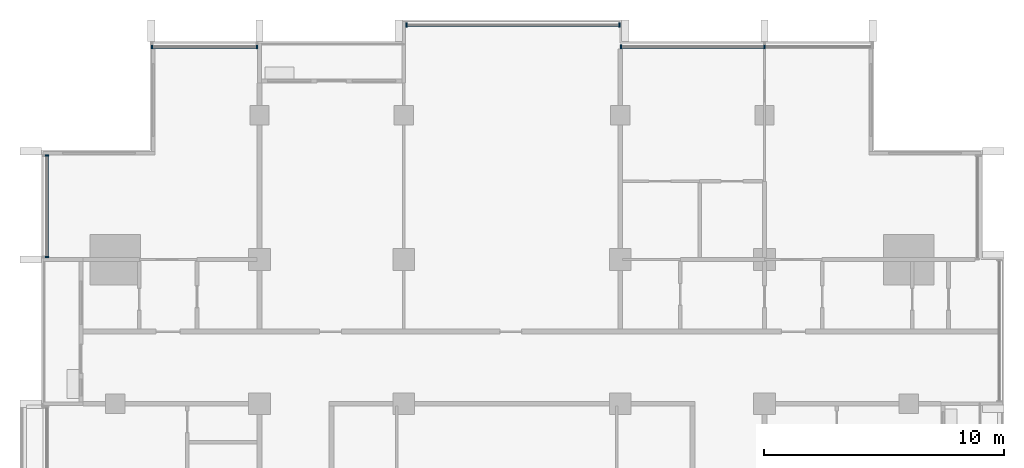
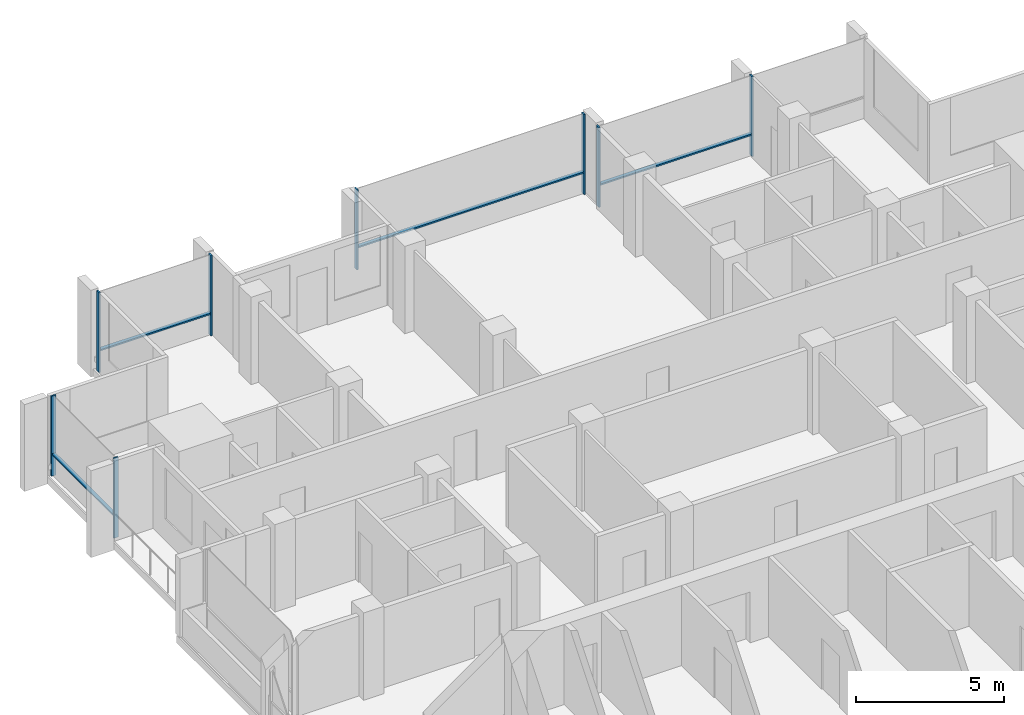
# One storey, part 4 of 16: 12 members, 4 elements without a shape of their own.
"""IFC4 building model written with IfcOpenShell, lengths in metres."""

from ifc_helpers import new_model, si_unit, direction, frame, origin, origin_2d, place, context, subcontext, project, spatial, rectangle, extrude, material, material_profile, profile_set, type_object, element, aggregate, save


model = new_model("IFC4")

# Units and contexts
model_context = context("Model", 3, precision=1e-05, world=origin(), true_north=direction((0.0, 1.0)))
body_context = subcontext(model_context, "Body", "Model", "MODEL_VIEW")
ifc_project = project(units=[si_unit("LENGTHUNIT", "METRE"), si_unit("AREAUNIT", "SQUARE_METRE"), si_unit("VOLUMEUNIT", "CUBIC_METRE"), si_unit("PLANEANGLEUNIT", "RADIAN"), si_unit("MASSUNIT", "GRAM", prefix="KILO")], contexts=[model_context])

# Site, building, storey
site_placement = place(None, origin())
site = spatial("IfcSite", under=ifc_project, at=site_placement, CompositionType="ELEMENT")
building_placement = place(site_placement, origin())
building = spatial("IfcBuilding", under=site, at=building_placement, Name="Finial Court Residences", CompositionType="ELEMENT")
storey_placement = place(building_placement, frame((0.0, 0.0, 208.699951171875)))
storey = spatial("IfcBuildingStorey", under=building, at=storey_placement, Name="L52", CompositionType="ELEMENT", Elevation=208.699951171875)

# Curtain wall, members
ifc_material = material(Name="Bronze anodised aluminium", Category="aluminium")
curtain_wall_type = type_object("IfcCurtainWallType", Name="Unitised curtain wall, upper zones", PredefinedType="NOTDEFINED", material=ifc_material)
curtain_wall_1_placement = place(storey_placement, origin())
curtain_wall_1 = element("IfcCurtainWall", 1, at=curtain_wall_1_placement, inside=storey, type_object=curtain_wall_type, Name="E-L52-CW-N1", PredefinedType="NOTDEFINED")
ifc_material_profile_1 = material_profile(ifc_material, rectangle(XDim=0.175048828125, YDim=0.06005859375, at=origin_2d()), Name="CW2 mullion 60 x 175")
ifc_profile_set_1 = profile_set([ifc_material_profile_1], Name="Bronze anodised aluminium")
member_type_1 = type_object("IfcMemberType", Name="CW2 mullion 60 x 175", PredefinedType="MULLION", material=ifc_profile_set_1)
member_1_placement = place(storey_placement, frame((-14.969970703125, 16.35009765625, 0.0), z_axis=(0.0, 0.0, 1.0), x_axis=(0.0, 1.0, 0.0)))
member_1 = element("IfcMember", 2, at=member_1_placement, type_object=member_type_1, Name="CW2 mullion 1", PredefinedType="MULLION", context=body_context, shape_type="SweptSolid", body=[
    extrude(rectangle(XDim=0.175048828125, YDim=0.06005859375, at=origin_2d()), origin(), (0.0, 0.0, 1.0), 3.300048828125),
])
member_2_placement = place(storey_placement, frame((-10.60498046875, 16.35009765625, 0.0), z_axis=(0.0, 0.0, 1.0), x_axis=(0.0, 1.0, 0.0)))
member_2 = element("IfcMember", 3, at=member_2_placement, type_object=member_type_1, Name="CW2 mullion 2", PredefinedType="MULLION", context=body_context, shape_type="SweptSolid", body=[
    extrude(rectangle(XDim=0.175048828125, YDim=0.06005859375, at=origin_2d()), origin(), (0.0, 0.0, 1.0), 3.300048828125),
])

curtain_wall_2_placement = place(storey_placement, origin())
curtain_wall_2 = element("IfcCurtainWall", 4, at=curtain_wall_2_placement, inside=storey, type_object=curtain_wall_type, Name="E-L52-CW-N2", PredefinedType="NOTDEFINED")
member_3_placement = place(storey_placement, frame((-4.39501953125, 17.25, 0.0), z_axis=(0.0, 0.0, 1.0), x_axis=(0.0, 1.0, 0.0)))
member_3 = element("IfcMember", 5, at=member_3_placement, type_object=member_type_1, Name="CW2 mullion 1", PredefinedType="MULLION", context=body_context, shape_type="SweptSolid", body=[
    extrude(rectangle(XDim=0.175048828125, YDim=0.06005859375, at=origin_2d()), origin(), (0.0, 0.0, 1.0), 3.300048828125),
])
member_4_placement = place(storey_placement, frame((4.469970703125, 17.25, 0.0), z_axis=(0.0, 0.0, 1.0), x_axis=(0.0, 1.0, 0.0)))
member_4 = element("IfcMember", 6, at=member_4_placement, type_object=member_type_1, Name="CW2 mullion 2", PredefinedType="MULLION", context=body_context, shape_type="SweptSolid", body=[
    extrude(rectangle(XDim=0.175048828125, YDim=0.06005859375, at=origin_2d()), origin(), (0.0, 0.0, 1.0), 3.300048828125),
])

curtain_wall_3_placement = place(storey_placement, origin())
curtain_wall_3 = element("IfcCurtainWall", 7, at=curtain_wall_3_placement, inside=storey, type_object=curtain_wall_type, Name="E-L52-CW-N3", PredefinedType="NOTDEFINED")
member_5_placement = place(storey_placement, frame((4.530029296875, 16.35009765625, 0.0), z_axis=(0.0, 0.0, 1.0), x_axis=(0.0, 1.0, 0.0)))
member_5 = element("IfcMember", 8, at=member_5_placement, type_object=member_type_1, Name="CW2 mullion 1", PredefinedType="MULLION", context=body_context, shape_type="SweptSolid", body=[
    extrude(rectangle(XDim=0.175048828125, YDim=0.06005859375, at=origin_2d()), origin(), (0.0, 0.0, 1.0), 3.300048828125),
])
member_6_placement = place(storey_placement, frame((10.5, 16.35009765625, 0.0), z_axis=(0.0, 0.0, 1.0), x_axis=(0.0, 1.0, 0.0)))
member_6 = element("IfcMember", 9, at=member_6_placement, type_object=member_type_1, Name="CW2 mullion 2", PredefinedType="MULLION", context=body_context, shape_type="SweptSolid", body=[
    extrude(rectangle(XDim=0.175048828125, YDim=0.06005859375, at=origin_2d()), origin(), (0.0, 0.0, 1.0), 3.300048828125),
])

curtain_wall_4_placement = place(storey_placement, origin())
curtain_wall_4 = element("IfcCurtainWall", 10, at=curtain_wall_4_placement, inside=storey, type_object=curtain_wall_type, Name="E-L52-CW-W12", PredefinedType="NOTDEFINED")
member_7_placement = place(storey_placement, frame((-19.35009765625, 7.60498046875, 0.0), z_axis=(0.0, 0.0, 1.0), x_axis=(-1.0, 0.0, 0.0)))
member_7 = element("IfcMember", 11, at=member_7_placement, type_object=member_type_1, Name="CW2 mullion 1", PredefinedType="MULLION", context=body_context, shape_type="SweptSolid", body=[
    extrude(rectangle(XDim=0.175048828125, YDim=0.06005859375, at=origin_2d()), origin(), (0.0, 0.0, 1.0), 3.300048828125),
])
member_8_placement = place(storey_placement, frame((-19.35009765625, 11.820068359375, 0.0), z_axis=(0.0, 0.0, 1.0), x_axis=(-1.0, 0.0, 0.0)))
member_8 = element("IfcMember", 12, at=member_8_placement, type_object=member_type_1, Name="CW2 mullion 2", PredefinedType="MULLION", context=body_context, shape_type="SweptSolid", body=[
    extrude(rectangle(XDim=0.175048828125, YDim=0.06005859375, at=origin_2d()), origin(), (0.0, 0.0, 1.0), 3.300048828125),
])

# Member
ifc_material_profile_2 = material_profile(ifc_material, rectangle(XDim=0.139892578125, YDim=0.06005859375, at=origin_2d()), Name="CW2 transom 60 x 140")
ifc_profile_set_2 = profile_set([ifc_material_profile_2], Name="Bronze anodised aluminium")
member_type_2 = type_object("IfcMemberType", Name="CW2 transom 60 x 140", PredefinedType="USERDEFINED", material=ifc_profile_set_2)
member_9_placement = place(storey_placement, frame((-14.93994140625, 16.35009765625, 0.900146484375), z_axis=(1.0, 0.0, 0.0), x_axis=(0.0, 1.0, 0.0)))
member_9 = element("IfcMember", 13, at=member_9_placement, type_object=member_type_2, Name="CW2 transom 1.1", ObjectType="TRANSOM", PredefinedType="USERDEFINED", context=body_context, shape_type="SweptSolid", body=[
    extrude(rectangle(XDim=0.139892578125, YDim=0.06005859375, at=origin_2d()), origin(), (0.0, 0.0, 1.0), 4.304931640625),
])

aggregate(curtain_wall_1, [member_1, member_2, member_9])

member_10_placement = place(storey_placement, frame((-4.364990234375, 17.25, 0.900146484375), z_axis=(1.0, 0.0, 0.0), x_axis=(0.0, 1.0, 0.0)))
member_10 = element("IfcMember", 14, at=member_10_placement, type_object=member_type_2, Name="CW2 transom 1.1", ObjectType="TRANSOM", PredefinedType="USERDEFINED", context=body_context, shape_type="SweptSolid", body=[
    extrude(rectangle(XDim=0.139892578125, YDim=0.06005859375, at=origin_2d()), origin(), (0.0, 0.0, 1.0), 8.804931640625),
])

aggregate(curtain_wall_2, [member_3, member_4, member_10])

member_11_placement = place(storey_placement, frame((4.56005859375, 16.35009765625, 0.900146484375), z_axis=(1.0, 0.0, 0.0), x_axis=(0.0, 1.0, 0.0)))
member_11 = element("IfcMember", 15, at=member_11_placement, type_object=member_type_2, Name="CW2 transom 1.1", ObjectType="TRANSOM", PredefinedType="USERDEFINED", context=body_context, shape_type="SweptSolid", body=[
    extrude(rectangle(XDim=0.139892578125, YDim=0.06005859375, at=origin_2d()), origin(), (0.0, 0.0, 1.0), 5.909912109375),
])

aggregate(curtain_wall_3, [member_5, member_6, member_11])

member_12_placement = place(storey_placement, frame((-19.35009765625, 7.635009765625, 0.900146484375), z_axis=(0.0, 1.0, 0.0), x_axis=(-1.0, 0.0, 0.0)))
member_12 = element("IfcMember", 16, at=member_12_placement, type_object=member_type_2, Name="CW2 transom 1.1", ObjectType="TRANSOM", PredefinedType="USERDEFINED", context=body_context, shape_type="SweptSolid", body=[
    extrude(rectangle(XDim=0.139892578125, YDim=0.06005859375, at=origin_2d()), origin(), (0.0, 0.0, 1.0), 4.155029296875),
])

aggregate(curtain_wall_4, [member_7, member_8, member_12])

save(model, "model.ifc")
